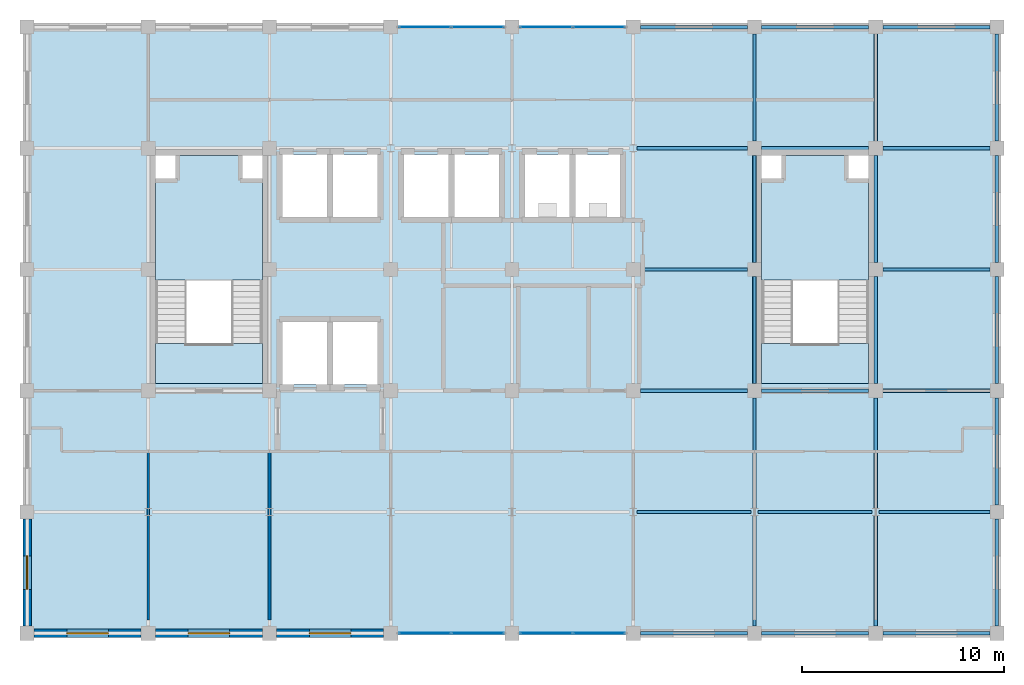
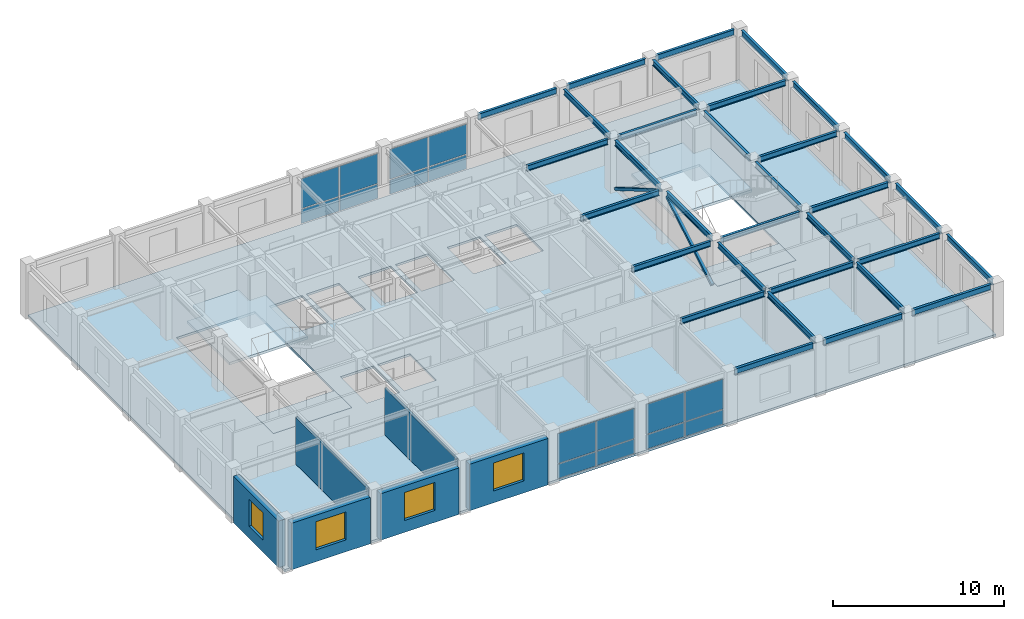
# One storey, part 7 of 12: 32 beams, 16 plates, 6 walls, 5 slabs, 4 windows, 2 members, 4 openings, 6 elements without a shape of their own.
"""IFC4 building model written with IfcOpenShell, lengths in metres."""

from ifc_helpers import new_model, si_unit, direction, frame, frame_2d, origin, origin_2d, place, context, subcontext, project, spatial, polyline, rectangle, hollow_rectangle, i_section, outline, extrude, material, layer, layer_set, material_profile, profile_set, type_object, element, fill, aggregate, save


model = new_model("IFC4")

# Units and contexts
model_context = context("Model", 3, precision=1e-05, world=origin(), true_north=direction((0.0, 1.0)))
body_context = subcontext(model_context, "Body", "Model", "MODEL_VIEW")
ifc_project = project(units=[si_unit("LENGTHUNIT", "METRE"), si_unit("AREAUNIT", "SQUARE_METRE"), si_unit("VOLUMEUNIT", "CUBIC_METRE"), si_unit("PLANEANGLEUNIT", "RADIAN"), si_unit("MASSUNIT", "GRAM", prefix="KILO")], contexts=[model_context])

# Site, building, storey
site_placement = place(None, origin())
site = spatial("IfcSite", under=ifc_project, at=site_placement, CompositionType="ELEMENT")
building_placement = place(site_placement, origin())
building = spatial("IfcBuilding", under=site, at=building_placement, Name="Zlatovratsky Civic Hall", CompositionType="ELEMENT")
storey_placement = place(building_placement, frame((0.0, 0.0, 40.5)))
storey = spatial("IfcBuildingStorey", under=building, at=storey_placement, Name="L10", CompositionType="ELEMENT", Elevation=40.5)

# Beams
ifc_material_1 = material(Name="Steel S355", Category="steel")
ifc_material_profile_1 = material_profile(ifc_material_1, i_section(OverallWidth=0.169921875, OverallDepth=0.446044921875, WebThickness=0.007568359375, FlangeThickness=0.010986328125, FilletRadius=0.01611328125, at=origin_2d()), Name="45B1")
ifc_profile_set_1 = profile_set([ifc_material_profile_1], Name="Steel S355")
beam_type_1 = type_object("IfcBeamType", Name="Beam_Spandrel_45B1", PredefinedType="SPANDREL", material=ifc_profile_set_1)
for number, where, z_axis, x_axis, name in (
    (1, (90.35009765625, 72.0, 3.51708984375), (1.0, 0.0, 0.0), (0.0, 1.0, 0.0), "BM-4615"),
    (2, (96.35009765625, 72.0, 3.51708984375), (1.0, 0.0, 0.0), (0.0, 1.0, 0.0), "BM-4616"),
    (3, (102.35009765625, 72.0, 3.51708984375), (1.0, 0.0, 0.0), (0.0, 1.0, 0.0), "BM-4617"),
    (4, (90.35009765625, 102.0, 3.51708984375), (1.0, 0.0, 0.0), (0.0, 1.0, 0.0), "BM-4653"),
    (5, (96.35009765625, 102.0, 3.51708984375), (1.0, 0.0, 0.0), (0.0, 1.0, 0.0), "BM-4654"),
    (6, (102.35009765625, 102.0, 3.51708984375), (1.0, 0.0, 0.0), (0.0, 1.0, 0.0), "BM-4655"),
    (7, (108.0, 72.35009765625, 3.51708984375), (0.0, 1.0, 0.0), (-1.0, 0.0, 0.0), "BM-4696"),
    (8, (108.0, 78.35009765625, 3.51708984375), (0.0, 1.0, 0.0), (-1.0, 0.0, 0.0), "BM-4697"),
    (9, (108.0, 84.35009765625, 3.51708984375), (0.0, 1.0, 0.0), (-1.0, 0.0, 0.0), "BM-4698"),
    (10, (108.0, 90.35009765625, 3.51708984375), (0.0, 1.0, 0.0), (-1.0, 0.0, 0.0), "BM-4699"),
    (11, (108.0, 96.35009765625, 3.51708984375), (0.0, 1.0, 0.0), (-1.0, 0.0, 0.0), "BM-4700"),
):
    element("IfcBeam", number, at=place(storey_placement, frame(where, z_axis=z_axis, x_axis=x_axis)), inside=storey, type_object=beam_type_1, Name=name, PredefinedType="SPANDREL", context=body_context, shape_type="SweptSolid", body=[
        extrude(i_section(OverallWidth=0.169921875, OverallDepth=0.446044921875, WebThickness=0.007568359375, FlangeThickness=0.010986328125, FilletRadius=0.01611328125, at=origin_2d()), origin(), (0.0, 0.0, 1.0), 5.2998046875),
    ])
ifc_material_profile_2 = material_profile(ifc_material_1, i_section(OverallWidth=0.1650390625, OverallDepth=0.39208984375, WebThickness=0.006591796875, FlangeThickness=0.009521484375, FilletRadius=0.014892578125, at=origin_2d()), Name="40B1")
ifc_profile_set_2 = profile_set([ifc_material_profile_2], Name="Steel S355")
beam_type_2 = type_object("IfcBeamType", Name="Beam_Tie_40B1", PredefinedType="BEAM", material=ifc_profile_set_2)
for number, where, z_axis, x_axis, name in (
    (12, (90.175048828125, 78.0, 3.5439453125), (1.0, 0.0, 0.0), (0.0, 1.0, 0.0), "BM-4623"),
    (13, (96.175048828125, 78.0, 3.5439453125), (1.0, 0.0, 0.0), (0.0, 1.0, 0.0), "BM-4624"),
):
    element("IfcBeam", number, at=place(storey_placement, frame(where, z_axis=z_axis, x_axis=x_axis)), inside=storey, type_object=beam_type_2, Name=name, PredefinedType="BEAM", context=body_context, shape_type="SweptSolid", body=[
        extrude(i_section(OverallWidth=0.1650390625, OverallDepth=0.39208984375, WebThickness=0.006591796875, FlangeThickness=0.009521484375, FilletRadius=0.014892578125, at=origin_2d()), origin(), (0.0, 0.0, 1.0), 5.64990234375),
    ])
beam_1_placement = place(storey_placement, frame((102.175048828125, 78.0, 3.5439453125), z_axis=(1.0, 0.0, 0.0), x_axis=(0.0, 1.0, 0.0)))
element("IfcBeam", 14, at=beam_1_placement, inside=storey, type_object=beam_type_2, Name="BM-4625", PredefinedType="BEAM", context=body_context, shape_type="SweptSolid", body=[
    extrude(i_section(OverallWidth=0.1650390625, OverallDepth=0.39208984375, WebThickness=0.006591796875, FlangeThickness=0.009521484375, FilletRadius=0.014892578125, at=origin_2d()), origin(), (0.0, 0.0, 1.0), 5.474853515625),
])
for number, where, z_axis, x_axis, name in (
    (15, (90.35009765625, 84.0, 3.5439453125), (1.0, 0.0, 0.0), (0.0, 1.0, 0.0), "BM-4631"),
    (16, (96.35009765625, 84.0, 3.5439453125), (1.0, 0.0, 0.0), (0.0, 1.0, 0.0), "BM-4632"),
    (17, (102.35009765625, 84.0, 3.5439453125), (1.0, 0.0, 0.0), (0.0, 1.0, 0.0), "BM-4633"),
    (18, (90.35009765625, 90.0, 3.5439453125), (1.0, 0.0, 0.0), (0.0, 1.0, 0.0), "BM-4638"),
    (19, (102.35009765625, 90.0, 3.5439453125), (1.0, 0.0, 0.0), (0.0, 1.0, 0.0), "BM-4639"),
):
    element("IfcBeam", number, at=place(storey_placement, frame(where, z_axis=z_axis, x_axis=x_axis)), inside=storey, type_object=beam_type_2, Name=name, PredefinedType="BEAM", context=body_context, shape_type="SweptSolid", body=[
        extrude(i_section(OverallWidth=0.1650390625, OverallDepth=0.39208984375, WebThickness=0.006591796875, FlangeThickness=0.009521484375, FilletRadius=0.014892578125, at=origin_2d()), origin(), (0.0, 0.0, 1.0), 5.2998046875),
    ])
beam_2_placement = place(storey_placement, frame((90.175048828125, 96.0, 3.5439453125), z_axis=(1.0, 0.0, 0.0), x_axis=(0.0, 1.0, 0.0)))
element("IfcBeam", 20, at=beam_2_placement, inside=storey, type_object=beam_type_2, Name="BM-4645", PredefinedType="BEAM", context=body_context, shape_type="SweptSolid", body=[
    extrude(i_section(OverallWidth=0.1650390625, OverallDepth=0.39208984375, WebThickness=0.006591796875, FlangeThickness=0.009521484375, FilletRadius=0.014892578125, at=origin_2d()), origin(), (0.0, 0.0, 1.0), 5.474853515625),
])
for number, where, z_axis, x_axis, name in (
    (21, (96.35009765625, 96.0, 3.5439453125), (1.0, 0.0, 0.0), (0.0, 1.0, 0.0), "BM-4646"),
    (22, (102.35009765625, 96.0, 3.5439453125), (1.0, 0.0, 0.0), (0.0, 1.0, 0.0), "BM-4647"),
):
    element("IfcBeam", number, at=place(storey_placement, frame(where, z_axis=z_axis, x_axis=x_axis)), inside=storey, type_object=beam_type_2, Name=name, PredefinedType="BEAM", context=body_context, shape_type="SweptSolid", body=[
        extrude(i_section(OverallWidth=0.1650390625, OverallDepth=0.39208984375, WebThickness=0.006591796875, FlangeThickness=0.009521484375, FilletRadius=0.014892578125, at=origin_2d()), origin(), (0.0, 0.0, 1.0), 5.2998046875),
    ])
for number, where, z_axis, x_axis, name in (
    (23, (96.0, 72.35009765625, 3.5439453125), (0.0, 1.0, 0.0), (-1.0, 0.0, 0.0), "BM-4686"),
    (24, (96.0, 78.175048828125, 3.5439453125), (0.0, 1.0, 0.0), (-1.0, 0.0, 0.0), "BM-4687"),
):
    element("IfcBeam", number, at=place(storey_placement, frame(where, z_axis=z_axis, x_axis=x_axis)), inside=storey, type_object=beam_type_2, Name=name, PredefinedType="BEAM", context=body_context, shape_type="SweptSolid", body=[
        extrude(i_section(OverallWidth=0.1650390625, OverallDepth=0.39208984375, WebThickness=0.006591796875, FlangeThickness=0.009521484375, FilletRadius=0.014892578125, at=origin_2d()), origin(), (0.0, 0.0, 1.0), 5.474853515625),
    ])
for number, where, z_axis, x_axis, name in (
    (25, (96.0, 84.35009765625, 3.5439453125), (0.0, 1.0, 0.0), (-1.0, 0.0, 0.0), "BM-4688"),
    (26, (96.0, 90.35009765625, 3.5439453125), (0.0, 1.0, 0.0), (-1.0, 0.0, 0.0), "BM-4689"),
    (27, (96.0, 96.35009765625, 3.5439453125), (0.0, 1.0, 0.0), (-1.0, 0.0, 0.0), "BM-4690"),
):
    element("IfcBeam", number, at=place(storey_placement, frame(where, z_axis=z_axis, x_axis=x_axis)), inside=storey, type_object=beam_type_2, Name=name, PredefinedType="BEAM", context=body_context, shape_type="SweptSolid", body=[
        extrude(i_section(OverallWidth=0.1650390625, OverallDepth=0.39208984375, WebThickness=0.006591796875, FlangeThickness=0.009521484375, FilletRadius=0.014892578125, at=origin_2d()), origin(), (0.0, 0.0, 1.0), 5.2998046875),
    ])
for number, where, z_axis, x_axis, name in (
    (28, (102.0, 72.35009765625, 3.5439453125), (0.0, 1.0, 0.0), (-1.0, 0.0, 0.0), "BM-4691"),
    (29, (102.0, 78.175048828125, 3.5439453125), (0.0, 1.0, 0.0), (-1.0, 0.0, 0.0), "BM-4692"),
):
    element("IfcBeam", number, at=place(storey_placement, frame(where, z_axis=z_axis, x_axis=x_axis)), inside=storey, type_object=beam_type_2, Name=name, PredefinedType="BEAM", context=body_context, shape_type="SweptSolid", body=[
        extrude(i_section(OverallWidth=0.1650390625, OverallDepth=0.39208984375, WebThickness=0.006591796875, FlangeThickness=0.009521484375, FilletRadius=0.014892578125, at=origin_2d()), origin(), (0.0, 0.0, 1.0), 5.474853515625),
    ])
for number, where, z_axis, x_axis, name in (
    (30, (102.0, 84.35009765625, 3.5439453125), (0.0, 1.0, 0.0), (-1.0, 0.0, 0.0), "BM-4693"),
    (31, (102.0, 90.35009765625, 3.5439453125), (0.0, 1.0, 0.0), (-1.0, 0.0, 0.0), "BM-4694"),
    (32, (102.0, 96.35009765625, 3.5439453125), (0.0, 1.0, 0.0), (-1.0, 0.0, 0.0), "BM-4695"),
):
    element("IfcBeam", number, at=place(storey_placement, frame(where, z_axis=z_axis, x_axis=x_axis)), inside=storey, type_object=beam_type_2, Name=name, PredefinedType="BEAM", context=body_context, shape_type="SweptSolid", body=[
        extrude(i_section(OverallWidth=0.1650390625, OverallDepth=0.39208984375, WebThickness=0.006591796875, FlangeThickness=0.009521484375, FilletRadius=0.014892578125, at=origin_2d()), origin(), (0.0, 0.0, 1.0), 5.2998046875),
    ])

# Members
ifc_material_profile_3 = material_profile(ifc_material_1, hollow_rectangle(XDim=0.179931640625, YDim=0.179931640625, WallThickness=0.008056640625, at=origin_2d()), Name="SHS 180x180x8")
ifc_profile_set_3 = profile_set([ifc_material_profile_3], Name="Steel S355")
member_type = type_object("IfcMemberType", Name="Brace_TowerMid_SHS180", PredefinedType="BRACE", material=ifc_profile_set_3)
for number, where, z_axis, x_axis, name in (
    (33, (96.0, 84.35009765625, 0.25), (0.0, 0.863172562464, 0.504909028845), (-1.0, 0.0, 0.0), "MB-0146"),
    (34, (96.0, 90.35009765625, 3.35009765625), (0.0, 0.863172562464, -0.504909028845), (-1.0, 0.0, 0.0), "MB-0147"),
):
    element("IfcMember", number, at=place(storey_placement, frame(where, z_axis=z_axis, x_axis=x_axis)), inside=storey, type_object=member_type, Name=name, PredefinedType="BRACE", context=body_context, shape_type="SweptSolid", body=[
        extrude(hollow_rectangle(XDim=0.179931640625, YDim=0.179931640625, WallThickness=0.008056640625, at=origin_2d()), origin(), (0.0, 0.0, 1.0), 6.139892578125),
    ])

# Curtain wall, plates
ifc_material_2 = material(Name="Anodised bronze aluminium", Category="aluminium")
ifc_layer_1 = layer(ifc_material_2, 0.159912109375)
ifc_layer_set_1 = layer_set([ifc_layer_1], Name="Anodised bronze aluminium")
curtain_wall_type = type_object("IfcCurtainWallType", Name="CurtainWall_Bronze_5300x3320_21", PredefinedType="NOTDEFINED", material=ifc_layer_set_1)
curtain_wall_1_placement = place(storey_placement, origin())
curtain_wall_1 = element("IfcCurtainWall", 35, at=curtain_wall_1_placement, inside=storey, type_object=curtain_wall_type, Name="CW-149", PredefinedType="NOTDEFINED")
ifc_material_3 = material(Name="Solar-control triple glazing", Category="glass")
ifc_layer_2 = layer(ifc_material_3, 0.028076171875)
ifc_layer_set_2 = layer_set([ifc_layer_2], Name="Solar-control triple glazing")
plate_type = type_object("IfcPlateType", Name="Panel_TowerTripleGlazing_28", PredefinedType="CURTAIN_PANEL", material=ifc_layer_set_2)
plate_1_placement = place(storey_placement, frame((79.68994140625, 72.0, 0.06005859375), z_axis=(0.0, 0.0, 1.0), x_axis=(1.0, 0.0, 0.0)))
plate_1 = element("IfcPlate", 36, at=plate_1_placement, type_object=plate_type, Name="CW-21 panel 1.1", PredefinedType="CURTAIN_PANEL", context=body_context, shape_type="SweptSolid", body=[
    extrude(rectangle(XDim=2.56005859375, YDim=0.028076171875, at=origin_2d()), origin(), (0.0, 0.0, 1.0), 1.010009765625),
])
plate_2_placement = place(storey_placement, frame((79.68994140625, 72.0, 1.130126953125), z_axis=(0.0, 0.0, 1.0), x_axis=(1.0, 0.0, 0.0)))
plate_2 = element("IfcPlate", 37, at=plate_2_placement, type_object=plate_type, Name="CW-21 panel 1.2", PredefinedType="CURTAIN_PANEL", context=body_context, shape_type="SweptSolid", body=[
    extrude(rectangle(XDim=2.56005859375, YDim=0.028076171875, at=origin_2d()), origin(), (0.0, 0.0, 1.0), 2.1298828125),
])
plate_3_placement = place(storey_placement, frame((82.31005859375, 72.0, 0.06005859375), z_axis=(0.0, 0.0, 1.0), x_axis=(1.0, 0.0, 0.0)))
plate_3 = element("IfcPlate", 38, at=plate_3_placement, type_object=plate_type, Name="CW-21 panel 2.1", PredefinedType="CURTAIN_PANEL", context=body_context, shape_type="SweptSolid", body=[
    extrude(rectangle(XDim=2.56005859375, YDim=0.028076171875, at=origin_2d()), origin(), (0.0, 0.0, 1.0), 1.010009765625),
])
plate_4_placement = place(storey_placement, frame((82.31005859375, 72.0, 1.130126953125), z_axis=(0.0, 0.0, 1.0), x_axis=(1.0, 0.0, 0.0)))
plate_4 = element("IfcPlate", 39, at=plate_4_placement, type_object=plate_type, Name="CW-21 panel 2.2", PredefinedType="CURTAIN_PANEL", context=body_context, shape_type="SweptSolid", body=[
    extrude(rectangle(XDim=2.56005859375, YDim=0.028076171875, at=origin_2d()), origin(), (0.0, 0.0, 1.0), 2.1298828125),
])
aggregate(curtain_wall_1, [plate_1, plate_2, plate_3, plate_4])

curtain_wall_2_placement = place(storey_placement, origin())
curtain_wall_2 = element("IfcCurtainWall", 40, at=curtain_wall_2_placement, inside=storey, type_object=curtain_wall_type, Name="CW-150", PredefinedType="NOTDEFINED")
plate_5_placement = place(storey_placement, frame((85.68994140625, 72.0, 0.06005859375), z_axis=(0.0, 0.0, 1.0), x_axis=(1.0, 0.0, 0.0)))
plate_5 = element("IfcPlate", 41, at=plate_5_placement, type_object=plate_type, Name="CW-21 panel 1.1", PredefinedType="CURTAIN_PANEL", context=body_context, shape_type="SweptSolid", body=[
    extrude(rectangle(XDim=2.56005859375, YDim=0.028076171875, at=origin_2d()), origin(), (0.0, 0.0, 1.0), 1.010009765625),
])
plate_6_placement = place(storey_placement, frame((85.68994140625, 72.0, 1.130126953125), z_axis=(0.0, 0.0, 1.0), x_axis=(1.0, 0.0, 0.0)))
plate_6 = element("IfcPlate", 42, at=plate_6_placement, type_object=plate_type, Name="CW-21 panel 1.2", PredefinedType="CURTAIN_PANEL", context=body_context, shape_type="SweptSolid", body=[
    extrude(rectangle(XDim=2.56005859375, YDim=0.028076171875, at=origin_2d()), origin(), (0.0, 0.0, 1.0), 2.1298828125),
])
plate_7_placement = place(storey_placement, frame((88.31005859375, 72.0, 0.06005859375), z_axis=(0.0, 0.0, 1.0), x_axis=(1.0, 0.0, 0.0)))
plate_7 = element("IfcPlate", 43, at=plate_7_placement, type_object=plate_type, Name="CW-21 panel 2.1", PredefinedType="CURTAIN_PANEL", context=body_context, shape_type="SweptSolid", body=[
    extrude(rectangle(XDim=2.56005859375, YDim=0.028076171875, at=origin_2d()), origin(), (0.0, 0.0, 1.0), 1.010009765625),
])
plate_8_placement = place(storey_placement, frame((88.31005859375, 72.0, 1.130126953125), z_axis=(0.0, 0.0, 1.0), x_axis=(1.0, 0.0, 0.0)))
plate_8 = element("IfcPlate", 44, at=plate_8_placement, type_object=plate_type, Name="CW-21 panel 2.2", PredefinedType="CURTAIN_PANEL", context=body_context, shape_type="SweptSolid", body=[
    extrude(rectangle(XDim=2.56005859375, YDim=0.028076171875, at=origin_2d()), origin(), (0.0, 0.0, 1.0), 2.1298828125),
])
aggregate(curtain_wall_2, [plate_5, plate_6, plate_7, plate_8])

curtain_wall_3_placement = place(storey_placement, origin())
curtain_wall_3 = element("IfcCurtainWall", 45, at=curtain_wall_3_placement, inside=storey, type_object=curtain_wall_type, Name="CW-151", PredefinedType="NOTDEFINED")
plate_9_placement = place(storey_placement, frame((79.68994140625, 102.0, 0.06005859375), z_axis=(0.0, 0.0, 1.0), x_axis=(1.0, 0.0, 0.0)))
plate_9 = element("IfcPlate", 46, at=plate_9_placement, type_object=plate_type, Name="CW-21 panel 1.1", PredefinedType="CURTAIN_PANEL", context=body_context, shape_type="SweptSolid", body=[
    extrude(rectangle(XDim=2.56005859375, YDim=0.028076171875, at=origin_2d()), origin(), (0.0, 0.0, 1.0), 1.010009765625),
])
plate_10_placement = place(storey_placement, frame((79.68994140625, 102.0, 1.130126953125), z_axis=(0.0, 0.0, 1.0), x_axis=(1.0, 0.0, 0.0)))
plate_10 = element("IfcPlate", 47, at=plate_10_placement, type_object=plate_type, Name="CW-21 panel 1.2", PredefinedType="CURTAIN_PANEL", context=body_context, shape_type="SweptSolid", body=[
    extrude(rectangle(XDim=2.56005859375, YDim=0.028076171875, at=origin_2d()), origin(), (0.0, 0.0, 1.0), 2.1298828125),
])
plate_11_placement = place(storey_placement, frame((82.31005859375, 102.0, 0.06005859375), z_axis=(0.0, 0.0, 1.0), x_axis=(1.0, 0.0, 0.0)))
plate_11 = element("IfcPlate", 48, at=plate_11_placement, type_object=plate_type, Name="CW-21 panel 2.1", PredefinedType="CURTAIN_PANEL", context=body_context, shape_type="SweptSolid", body=[
    extrude(rectangle(XDim=2.56005859375, YDim=0.028076171875, at=origin_2d()), origin(), (0.0, 0.0, 1.0), 1.010009765625),
])
plate_12_placement = place(storey_placement, frame((82.31005859375, 102.0, 1.130126953125), z_axis=(0.0, 0.0, 1.0), x_axis=(1.0, 0.0, 0.0)))
plate_12 = element("IfcPlate", 49, at=plate_12_placement, type_object=plate_type, Name="CW-21 panel 2.2", PredefinedType="CURTAIN_PANEL", context=body_context, shape_type="SweptSolid", body=[
    extrude(rectangle(XDim=2.56005859375, YDim=0.028076171875, at=origin_2d()), origin(), (0.0, 0.0, 1.0), 2.1298828125),
])
aggregate(curtain_wall_3, [plate_9, plate_10, plate_11, plate_12])

curtain_wall_4_placement = place(storey_placement, origin())
curtain_wall_4 = element("IfcCurtainWall", 50, at=curtain_wall_4_placement, inside=storey, type_object=curtain_wall_type, Name="CW-152", PredefinedType="NOTDEFINED")
plate_13_placement = place(storey_placement, frame((85.68994140625, 102.0, 0.06005859375), z_axis=(0.0, 0.0, 1.0), x_axis=(1.0, 0.0, 0.0)))
plate_13 = element("IfcPlate", 51, at=plate_13_placement, type_object=plate_type, Name="CW-21 panel 1.1", PredefinedType="CURTAIN_PANEL", context=body_context, shape_type="SweptSolid", body=[
    extrude(rectangle(XDim=2.56005859375, YDim=0.028076171875, at=origin_2d()), origin(), (0.0, 0.0, 1.0), 1.010009765625),
])
plate_14_placement = place(storey_placement, frame((85.68994140625, 102.0, 1.130126953125), z_axis=(0.0, 0.0, 1.0), x_axis=(1.0, 0.0, 0.0)))
plate_14 = element("IfcPlate", 52, at=plate_14_placement, type_object=plate_type, Name="CW-21 panel 1.2", PredefinedType="CURTAIN_PANEL", context=body_context, shape_type="SweptSolid", body=[
    extrude(rectangle(XDim=2.56005859375, YDim=0.028076171875, at=origin_2d()), origin(), (0.0, 0.0, 1.0), 2.1298828125),
])
plate_15_placement = place(storey_placement, frame((88.31005859375, 102.0, 0.06005859375), z_axis=(0.0, 0.0, 1.0), x_axis=(1.0, 0.0, 0.0)))
plate_15 = element("IfcPlate", 53, at=plate_15_placement, type_object=plate_type, Name="CW-21 panel 2.1", PredefinedType="CURTAIN_PANEL", context=body_context, shape_type="SweptSolid", body=[
    extrude(rectangle(XDim=2.56005859375, YDim=0.028076171875, at=origin_2d()), origin(), (0.0, 0.0, 1.0), 1.010009765625),
])
plate_16_placement = place(storey_placement, frame((88.31005859375, 102.0, 1.130126953125), z_axis=(0.0, 0.0, 1.0), x_axis=(1.0, 0.0, 0.0)))
plate_16 = element("IfcPlate", 54, at=plate_16_placement, type_object=plate_type, Name="CW-21 panel 2.2", PredefinedType="CURTAIN_PANEL", context=body_context, shape_type="SweptSolid", body=[
    extrude(rectangle(XDim=2.56005859375, YDim=0.028076171875, at=origin_2d()), origin(), (0.0, 0.0, 1.0), 2.1298828125),
])
aggregate(curtain_wall_4, [plate_13, plate_14, plate_15, plate_16])

# Slabs
ifc_material_4 = material(Name="Concrete C30/37 (B35)", Category="concrete")
ifc_layer_3 = layer(ifc_material_4, 0.239990234375)
ifc_layer_set_3 = layer_set([ifc_layer_3], Name="Concrete C30/37 (B35)")
slab_type_1 = type_object("IfcSlabType", Name="Slab_CivicPodiumFloor_240", PredefinedType="FLOOR", material=ifc_layer_set_3)
slab_1_placement = place(storey_placement, frame((0.0, 0.0, -0.239990234375)))
element("IfcSlab", 55, at=slab_1_placement, inside=storey, type_object=slab_type_1, Name="SL-065", PredefinedType="FLOOR", context=body_context, shape_type="SweptSolid", body=[
    extrude(outline(polyline([(66.35009765625, 84.35009765625), (71.64990234375, 84.35009765625), (71.64990234375, 86.35009765625), (66.35009765625, 86.35009765625), (66.35009765625, 84.35009765625)])), origin(), (0.0, 0.0, 1.0), 0.239990234375),
])
slab_2_placement = place(storey_placement, frame((0.0, 0.0, -0.239990234375)))
element("IfcSlab", 56, at=slab_2_placement, inside=storey, type_object=slab_type_1, Name="SL-066", PredefinedType="FLOOR", context=body_context, shape_type="SweptSolid", body=[
    extrude(outline(polyline([(96.35009765625, 84.35009765625), (101.64990234375, 84.35009765625), (101.64990234375, 86.35009765625), (96.35009765625, 86.35009765625), (96.35009765625, 84.35009765625)])), origin(), (0.0, 0.0, 1.0), 0.239990234375),
])

# Stair, slab
stair_type = type_object("IfcStairType", Name="Stair_HALF_24R_1550W_04", PredefinedType="HALF_TURN_STAIR", material=ifc_material_4)
stair_1_placement = place(storey_placement, origin())
stair_1 = element("IfcStair", 57, at=stair_1_placement, inside=storey, type_object=stair_type, Name="ST-011", PredefinedType="HALF_TURN_STAIR")
ifc_layer_4 = layer(ifc_material_4, 0.179931640625)
ifc_layer_set_4 = layer_set([ifc_layer_4], Name="Concrete C30/37 (B35)")
slab_type_2 = type_object("IfcSlabType", Name="Slab_StairLanding_180", PredefinedType="LANDING", material=ifc_layer_set_4)
slab_3_placement = place(storey_placement, frame((0.0, 0.0, 1.77001953125)))
slab_3 = element("IfcSlab", 58, at=slab_3_placement, type_object=slab_type_2, Name="SL-LD-11", PredefinedType="LANDING", context=body_context, shape_type="SweptSolid", body=[
    extrude(outline(polyline([(66.35009765625, 89.485107421875), (71.64990234375, 89.485107421875), (71.64990234375, 94.39990234375), (70.550048828125, 94.39990234375), (70.550048828125, 95.64990234375), (67.449951171875, 95.64990234375), (67.449951171875, 94.39990234375), (66.35009765625, 94.39990234375), (66.35009765625, 89.485107421875)])), origin(), (0.0, 0.0, 1.0), 0.179931640625),
])
aggregate(stair_1, [slab_3])

stair_2_placement = place(storey_placement, origin())
stair_2 = element("IfcStair", 59, at=stair_2_placement, inside=storey, type_object=stair_type, Name="ST-030", PredefinedType="HALF_TURN_STAIR")
slab_4_placement = place(storey_placement, frame((0.0, 0.0, 1.77001953125)))
slab_4 = element("IfcSlab", 60, at=slab_4_placement, type_object=slab_type_2, Name="SL-LD-30", PredefinedType="LANDING", context=body_context, shape_type="SweptSolid", body=[
    extrude(outline(polyline([(96.35009765625, 89.485107421875), (101.64990234375, 89.485107421875), (101.64990234375, 94.39990234375), (100.550048828125, 94.39990234375), (100.550048828125, 95.64990234375), (97.449951171875, 95.64990234375), (97.449951171875, 94.39990234375), (96.35009765625, 94.39990234375), (96.35009765625, 89.485107421875)])), origin(), (0.0, 0.0, 1.0), 0.179931640625),
])
aggregate(stair_2, [slab_4])

# Slab
ifc_layer_5 = layer(ifc_material_4, 0.159912109375)
ifc_layer_set_5 = layer_set([ifc_layer_5], Name="Concrete C30/37 (B35)")
slab_type_3 = type_object("IfcSlabType", Name="Slab_TowerCompositeFloor_160", PredefinedType="FLOOR", material=ifc_layer_set_5)
slab_5_placement = place(storey_placement, frame((0.0, 0.0, -0.159912109375)))
element("IfcSlab", 61, at=slab_5_placement, inside=storey, type_object=slab_type_3, Name="SL-064", PredefinedType="FLOOR", context=body_context, shape_type="SweptSolid", body=[
    extrude(outline(polyline([(60.0, 72.0), (108.0, 72.0), (108.0, 102.0), (60.0, 102.0), (60.0, 72.0)]), holes=[polyline([(66.35009765625, 84.35009765625), (71.64990234375, 84.35009765625), (71.64990234375, 95.64990234375), (66.35009765625, 95.64990234375), (66.35009765625, 84.35009765625)]), polyline([(96.35009765625, 84.35009765625), (101.64990234375, 84.35009765625), (101.64990234375, 95.64990234375), (96.35009765625, 95.64990234375), (96.35009765625, 84.35009765625)]), polyline([(72.64990234375, 84.300048828125), (74.85009765625, 84.300048828125), (74.85009765625, 87.39990234375), (72.64990234375, 87.39990234375), (72.64990234375, 84.300048828125)]), polyline([(75.14990234375, 84.300048828125), (77.35009765625, 84.300048828125), (77.35009765625, 87.39990234375), (75.14990234375, 87.39990234375), (75.14990234375, 84.300048828125)]), polyline([(72.64990234375, 92.60009765625), (74.85009765625, 92.60009765625), (74.85009765625, 95.699951171875), (72.64990234375, 95.699951171875), (72.64990234375, 92.60009765625)]), polyline([(75.14990234375, 92.60009765625), (77.35009765625, 92.60009765625), (77.35009765625, 95.699951171875), (75.14990234375, 95.699951171875), (75.14990234375, 92.60009765625)]), polyline([(78.64990234375, 92.60009765625), (80.85009765625, 92.60009765625), (80.85009765625, 95.699951171875), (78.64990234375, 95.699951171875), (78.64990234375, 92.60009765625)]), polyline([(81.14990234375, 92.60009765625), (83.35009765625, 92.60009765625), (83.35009765625, 95.699951171875), (81.14990234375, 95.699951171875), (81.14990234375, 92.60009765625)]), polyline([(84.64990234375, 92.60009765625), (86.85009765625, 92.60009765625), (86.85009765625, 95.699951171875), (84.64990234375, 95.699951171875), (84.64990234375, 92.60009765625)]), polyline([(87.14990234375, 92.60009765625), (89.35009765625, 92.60009765625), (89.35009765625, 95.699951171875), (87.14990234375, 95.699951171875), (87.14990234375, 92.60009765625)])]), origin(), (0.0, 0.0, 1.0), 0.159912109375),
])

# Walls
ifc_material_5 = material(Name="Fire-rated gypsum board framing", Category="gypsum")
ifc_layer_6 = layer(ifc_material_5, 0.139892578125)
ifc_layer_set_6 = layer_set([ifc_layer_6], Name="Fire-rated gypsum board framing")
wall_type_1 = type_object("IfcWallType", Name="Wall_OfficePartition_140", PredefinedType="PARTITIONING", material=ifc_layer_set_6)
for number, where, z_axis, x_axis, name in (
    (62, (66.0, 72.64990234375, 0.0), (0.0, 0.0, 1.0), (0.0, 1.0, 0.0), "WL-6501"),
    (63, (72.0, 72.64990234375, 0.0), (0.0, 0.0, 1.0), (0.0, 1.0, 0.0), "WL-6502"),
):
    element("IfcWall", number, at=place(storey_placement, frame(where, z_axis=z_axis, x_axis=x_axis)), inside=storey, type_object=wall_type_1, Name=name, PredefinedType="PARTITIONING", context=body_context, shape_type="SweptSolid", body=[
        extrude(rectangle(XDim=8.35009765625, YDim=0.139892578125, at=frame_2d((4.175048828125, 0.0))), origin(), (0.0, 0.0, 1.0), 3.347900390625),
    ])

# Wall, opening, window
ifc_material_6 = material(Name="Acoustic ceramic blockwork", Category="masonry")
ifc_layer_7 = layer(ifc_material_6, 0.280029296875, Name="Backing")
ifc_material_7 = material(Name="Podolsk limestone ashlar", Category="masonry")
ifc_layer_8 = layer(ifc_material_7, 0.139892578125, Name="Finish")
ifc_layer_set_7 = layer_set([ifc_layer_7, ifc_layer_8], Name="Acoustic ceramic blockwork")
wall_type_2 = type_object("IfcWallType", Name="Wall_TowerLimestoneAshlar_420", PredefinedType="SOLIDWALL", material=ifc_layer_set_7)
wall_1_placement = place(storey_placement, frame((60.35009765625, 72.0, 0.0), z_axis=(0.0, 0.0, 1.0), x_axis=(1.0, 0.0, 0.0)))
wall_1 = element("IfcWall", 64, at=wall_1_placement, inside=storey, type_object=wall_type_2, Name="WL-0523", PredefinedType="SOLIDWALL", context=body_context, shape_type="SweptSolid", body=[
    extrude(rectangle(XDim=5.2998046875, YDim=0.419921875, at=frame_2d((2.64990234375, 0.0))), origin(), (0.0, 0.0, 1.0), 3.320068359375),
])
opening_1_placement = place(wall_1_placement, frame((1.625, 0.0, 0.85009765625)))
opening_1 = element("IfcOpeningElement", 65, at=opening_1_placement, cuts=wall_1, Name="Opening WN-17", PredefinedType="OPENING", context=body_context, shape_type="SweptSolid", body=[
    extrude(rectangle(XDim=2.050048828125, YDim=2.0, at=frame_2d((1.02490234375, 1.0))), frame((0.0, 0.224853515625, 0.0), z_axis=(0.0, -1.0, 0.0), x_axis=(1.0, 0.0, 0.0)), (0.0, 0.0, 1.0), 0.44970703125),
])
ifc_material_8 = material(Name="Low-E laminated double glazing", Category="glass")
window_type_1 = type_object("IfcWindowType", Name="Window_TowerTier2South_2050x2000", PartitioningType="SINGLE_PANEL", PredefinedType="WINDOW", material=ifc_material_8)
window_1_placement = place(opening_1_placement, origin())
window_1 = element("IfcWindow", 66, at=window_1_placement, inside=storey, type_object=window_type_1, Name="WN-0397", OverallHeight=2.0, OverallWidth=2.050048828125, PartitioningType="SINGLE_PANEL", PredefinedType="WINDOW", context=body_context, shape_type="SweptSolid", body=[
    extrude(rectangle(XDim=2.050048828125, YDim=2.0, at=frame_2d((1.02490234375, 1.0))), frame((0.0, 0.030029296875, 0.0), z_axis=(0.0, -1.0, 0.0), x_axis=(1.0, 0.0, 0.0)), (0.0, 0.0, 1.0), 0.06005859375),
])
fill(opening_1, window_1)

wall_2_placement = place(storey_placement, frame((66.35009765625, 72.0, 0.0), z_axis=(0.0, 0.0, 1.0), x_axis=(1.0, 0.0, 0.0)))
wall_2 = element("IfcWall", 67, at=wall_2_placement, inside=storey, type_object=wall_type_2, Name="WL-0524", PredefinedType="SOLIDWALL", context=body_context, shape_type="SweptSolid", body=[
    extrude(rectangle(XDim=5.2998046875, YDim=0.419921875, at=frame_2d((2.64990234375, 0.0))), origin(), (0.0, 0.0, 1.0), 3.320068359375),
])
opening_2_placement = place(wall_2_placement, frame((1.625, 0.0, 0.85009765625)))
opening_2 = element("IfcOpeningElement", 68, at=opening_2_placement, cuts=wall_2, Name="Opening WN-17", PredefinedType="OPENING", context=body_context, shape_type="SweptSolid", body=[
    extrude(rectangle(XDim=2.050048828125, YDim=2.0, at=frame_2d((1.02490234375, 1.0))), frame((0.0, 0.224853515625, 0.0), z_axis=(0.0, -1.0, 0.0), x_axis=(1.0, 0.0, 0.0)), (0.0, 0.0, 1.0), 0.44970703125),
])
window_2_placement = place(opening_2_placement, origin())
window_2 = element("IfcWindow", 69, at=window_2_placement, inside=storey, type_object=window_type_1, Name="WN-0398", OverallHeight=2.0, OverallWidth=2.050048828125, PartitioningType="SINGLE_PANEL", PredefinedType="WINDOW", context=body_context, shape_type="SweptSolid", body=[
    extrude(rectangle(XDim=2.050048828125, YDim=2.0, at=frame_2d((1.02490234375, 1.0))), frame((0.0, 0.030029296875, 0.0), z_axis=(0.0, -1.0, 0.0), x_axis=(1.0, 0.0, 0.0)), (0.0, 0.0, 1.0), 0.06005859375),
])
fill(opening_2, window_2)

wall_3_placement = place(storey_placement, frame((72.35009765625, 72.0, 0.0), z_axis=(0.0, 0.0, 1.0), x_axis=(1.0, 0.0, 0.0)))
wall_3 = element("IfcWall", 70, at=wall_3_placement, inside=storey, type_object=wall_type_2, Name="WL-0525", PredefinedType="SOLIDWALL", context=body_context, shape_type="SweptSolid", body=[
    extrude(rectangle(XDim=5.2998046875, YDim=0.419921875, at=frame_2d((2.64990234375, 0.0))), origin(), (0.0, 0.0, 1.0), 3.320068359375),
])
opening_3_placement = place(wall_3_placement, frame((1.625, 0.0, 0.85009765625)))
opening_3 = element("IfcOpeningElement", 71, at=opening_3_placement, cuts=wall_3, Name="Opening WN-17", PredefinedType="OPENING", context=body_context, shape_type="SweptSolid", body=[
    extrude(rectangle(XDim=2.050048828125, YDim=2.0, at=frame_2d((1.02490234375, 1.0))), frame((0.0, 0.224853515625, 0.0), z_axis=(0.0, -1.0, 0.0), x_axis=(1.0, 0.0, 0.0)), (0.0, 0.0, 1.0), 0.44970703125),
])
window_3_placement = place(opening_3_placement, origin())
window_3 = element("IfcWindow", 72, at=window_3_placement, inside=storey, type_object=window_type_1, Name="WN-0399", OverallHeight=2.0, OverallWidth=2.050048828125, PartitioningType="SINGLE_PANEL", PredefinedType="WINDOW", context=body_context, shape_type="SweptSolid", body=[
    extrude(rectangle(XDim=2.050048828125, YDim=2.0, at=frame_2d((1.02490234375, 1.0))), frame((0.0, 0.030029296875, 0.0), z_axis=(0.0, -1.0, 0.0), x_axis=(1.0, 0.0, 0.0)), (0.0, 0.0, 1.0), 0.06005859375),
])
fill(opening_3, window_3)

wall_4_placement = place(storey_placement, frame((60.0, 72.35009765625, 0.0), z_axis=(0.0, 0.0, 1.0), x_axis=(0.0, 1.0, 0.0)))
wall_4 = element("IfcWall", 73, at=wall_4_placement, inside=storey, type_object=wall_type_2, Name="WL-0535", PredefinedType="SOLIDWALL", context=body_context, shape_type="SweptSolid", body=[
    extrude(rectangle(XDim=5.2998046875, YDim=0.419921875, at=frame_2d((2.64990234375, 0.0))), origin(), (0.0, 0.0, 1.0), 3.320068359375),
])
opening_4_placement = place(wall_4_placement, frame((1.824951171875, 0.0, 0.85009765625)))
opening_4 = element("IfcOpeningElement", 74, at=opening_4_placement, cuts=wall_4, Name="Opening WN-19", PredefinedType="OPENING", context=body_context, shape_type="SweptSolid", body=[
    extrude(rectangle(XDim=1.64990234375, YDim=1.949951171875, at=frame_2d((0.824951171875, 0.97509765625))), frame((0.0, 0.224853515625, 0.0), z_axis=(0.0, -1.0, 0.0), x_axis=(1.0, 0.0, 0.0)), (0.0, 0.0, 1.0), 0.44970703125),
])
window_type_2 = type_object("IfcWindowType", Name="Window_TowerTier2Flank_1650x1950", PartitioningType="SINGLE_PANEL", PredefinedType="WINDOW", material=ifc_material_8)
window_4_placement = place(opening_4_placement, origin())
window_4 = element("IfcWindow", 75, at=window_4_placement, inside=storey, type_object=window_type_2, Name="WN-0409", OverallHeight=1.949951171875, OverallWidth=1.64990234375, PartitioningType="SINGLE_PANEL", PredefinedType="WINDOW", context=body_context, shape_type="SweptSolid", body=[
    extrude(rectangle(XDim=1.64990234375, YDim=1.949951171875, at=frame_2d((0.824951171875, 0.97509765625))), frame((0.0, 0.030029296875, 0.0), z_axis=(0.0, -1.0, 0.0), x_axis=(1.0, 0.0, 0.0)), (0.0, 0.0, 1.0), 0.06005859375),
])
fill(opening_4, window_4)

save(model, "model.ifc")
